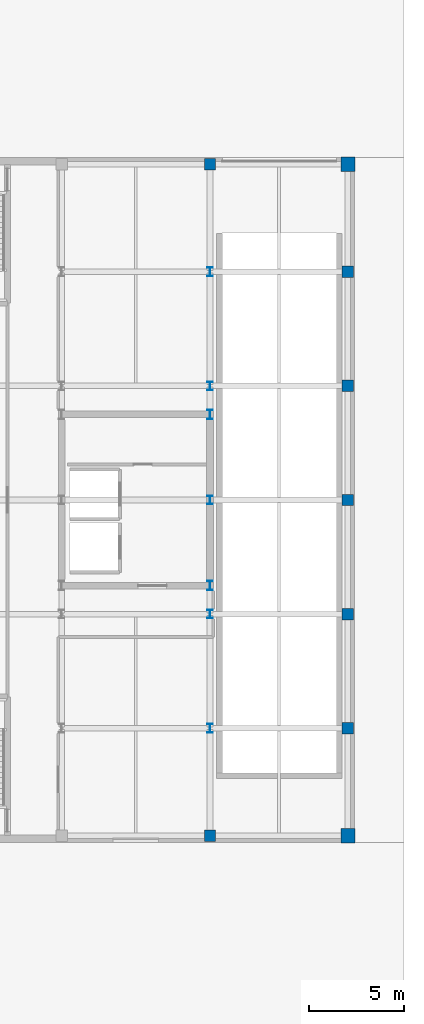
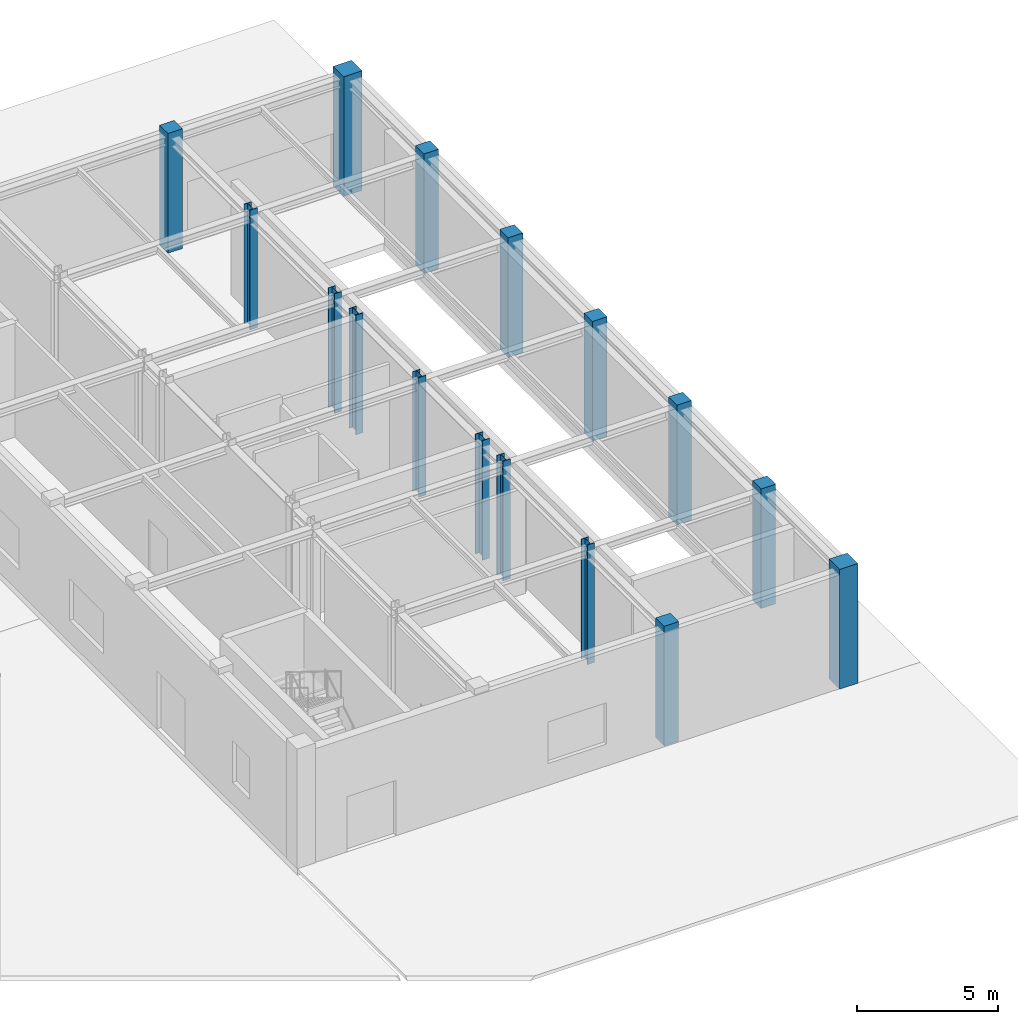
# One storey, part 4 of 26: 16 columns.
"""IFC4 building model written with IfcOpenShell, lengths in metres."""

from ifc_helpers import new_model, si_unit, direction, frame, origin, origin_2d, place, context, subcontext, project, spatial, rectangle, i_section, extrude, material, material_profile, profile_set, type_object, element, save


model = new_model("IFC4")

# Units and contexts
model_context = context("Model", 3, precision=1e-05, world=origin(), true_north=direction((0.0, 1.0)))
body_context = subcontext(model_context, "Body", "Model", "MODEL_VIEW")
ifc_project = project(units=[si_unit("LENGTHUNIT", "METRE"), si_unit("AREAUNIT", "SQUARE_METRE"), si_unit("VOLUMEUNIT", "CUBIC_METRE"), si_unit("PLANEANGLEUNIT", "RADIAN"), si_unit("MASSUNIT", "GRAM", prefix="KILO")], contexts=[model_context])

# Site, building, storey
site_placement = place(None, origin())
site = spatial("IfcSite", under=ifc_project, at=site_placement, CompositionType="ELEMENT")
building_placement = place(site_placement, origin())
building = spatial("IfcBuilding", under=site, at=building_placement, Name="Kranzbogen Civic Tower", CompositionType="ELEMENT")
storey_placement = place(building_placement, origin())
storey = spatial("IfcBuildingStorey", under=building, at=storey_placement, Name="L00", CompositionType="ELEMENT", Elevation=0.0)

# Columns
ifc_material_1 = material(Name="Steel S355", Category="steel")
ifc_material_profile_1 = material_profile(ifc_material_1, i_section(OverallWidth=0.300048828125, OverallDepth=0.449951171875, WebThickness=0.013916015625, FlangeThickness=0.02587890625, at=origin_2d()), Name="HEB 450")
ifc_profile_set_1 = profile_set([ifc_material_profile_1], Name="Steel S355")
column_type_1 = type_object("IfcColumnType", Name="Structural Column HEB 450", PredefinedType="COLUMN", material=ifc_profile_set_1)
for number, where, z_axis, x_axis, name in (
    (1, (67.39990234375, 13.0, 0.0), (0.0, 0.0, 1.0), (1.0, 0.0, 0.0), "L00 Health Centre column 12/C"),
    (2, (67.39990234375, 19.0, 0.0), (0.0, 0.0, 1.0), (1.0, 0.0, 0.0), "L00 Health Centre column 12/D"),
    (3, (67.39990234375, 25.0, 0.0), (0.0, 0.0, 1.0), (1.0, 0.0, 0.0), "L00 Health Centre column 12/E"),
    (4, (67.39990234375, 31.0, 0.0), (0.0, 0.0, 1.0), (1.0, 0.0, 0.0), "L00 Health Centre column 12/F"),
    (5, (67.39990234375, 37.0, 0.0), (0.0, 0.0, 1.0), (1.0, 0.0, 0.0), "L00 Health Centre column 12/G"),
):
    element("IfcColumn", number, at=place(storey_placement, frame(where, z_axis=z_axis, x_axis=x_axis)), inside=storey, type_object=column_type_1, Name=name, PredefinedType="COLUMN", context=body_context, shape_type="SweptSolid", body=[
        extrude(i_section(OverallWidth=0.300048828125, OverallDepth=0.449951171875, WebThickness=0.013916015625, FlangeThickness=0.02587890625, at=origin_2d()), origin(), (0.0, 0.0, 1.0), 5.199951171875),
    ])
ifc_material_profile_2 = material_profile(ifc_material_1, i_section(OverallWidth=0.300048828125, OverallDepth=0.5, WebThickness=0.014404296875, FlangeThickness=0.028076171875, at=origin_2d()), Name="HEB 500")
ifc_profile_set_2 = profile_set([ifc_material_profile_2], Name="Steel S355")
column_type_2 = type_object("IfcColumnType", Name="Structural Column HEB 500", PredefinedType="COLUMN", material=ifc_profile_set_2)
for number, where, z_axis, x_axis, name in (
    (6, (67.39990234375, 20.5, 0.0), (0.0, 0.0, 1.0), (1.0, 0.0, 0.0), "L00 Health Centre core corner column 2"),
    (7, (67.39990234375, 29.5, 0.0), (0.0, 0.0, 1.0), (1.0, 0.0, 0.0), "L00 Health Centre core corner column 3"),
):
    element("IfcColumn", number, at=place(storey_placement, frame(where, z_axis=z_axis, x_axis=x_axis)), inside=storey, type_object=column_type_2, Name=name, PredefinedType="COLUMN", context=body_context, shape_type="SweptSolid", body=[
        extrude(i_section(OverallWidth=0.300048828125, OverallDepth=0.5, WebThickness=0.014404296875, FlangeThickness=0.028076171875, at=origin_2d()), origin(), (0.0, 0.0, 1.0), 5.199951171875),
    ])
ifc_material_2 = material(Name="Concrete C40/50", Category="concrete")
ifc_material_profile_3 = material_profile(ifc_material_2, rectangle(XDim=0.60009765625, YDim=0.60009765625, at=origin_2d()), Name="RC 600x600")
ifc_profile_set_3 = profile_set([ifc_material_profile_3], Name="Concrete C40/50")
column_type_3 = type_object("IfcColumnType", Name="Structural Column RC 600x600", PredefinedType="COLUMN", material=ifc_profile_set_3)
for number, where, z_axis, x_axis, name in (
    (8, (67.39990234375, 7.35009765625, 0.0), (0.0, 0.0, 1.0), (1.0, 0.0, 0.0), "L00 Health Centre column 12/B"),
    (9, (67.39990234375, 42.64990234375, 0.0), (0.0, 0.0, 1.0), (1.0, 0.0, 0.0), "L00 Health Centre column 12/H"),
    (10, (74.64990234375, 13.0, 0.0), (0.0, 0.0, 1.0), (1.0, 0.0, 0.0), "L00 Health Centre column 13/C"),
    (11, (74.64990234375, 19.0, 0.0), (0.0, 0.0, 1.0), (1.0, 0.0, 0.0), "L00 Health Centre column 13/D"),
    (12, (74.64990234375, 25.0, 0.0), (0.0, 0.0, 1.0), (1.0, 0.0, 0.0), "L00 Health Centre column 13/E"),
    (13, (74.64990234375, 31.0, 0.0), (0.0, 0.0, 1.0), (1.0, 0.0, 0.0), "L00 Health Centre column 13/F"),
    (14, (74.64990234375, 37.0, 0.0), (0.0, 0.0, 1.0), (1.0, 0.0, 0.0), "L00 Health Centre column 13/G"),
):
    element("IfcColumn", number, at=place(storey_placement, frame(where, z_axis=z_axis, x_axis=x_axis)), inside=storey, type_object=column_type_3, Name=name, PredefinedType="COLUMN", context=body_context, shape_type="SweptSolid", body=[
        extrude(rectangle(XDim=0.60009765625, YDim=0.60009765625, at=origin_2d()), origin(), (0.0, 0.0, 1.0), 5.199951171875),
    ])
ifc_material_profile_4 = material_profile(ifc_material_2, rectangle(XDim=0.75, YDim=0.75, at=origin_2d()), Name="RC 750x750")
ifc_profile_set_4 = profile_set([ifc_material_profile_4], Name="Concrete C40/50")
column_type_4 = type_object("IfcColumnType", Name="Structural Column RC 750x750", PredefinedType="COLUMN", material=ifc_profile_set_4)
for number, where, z_axis, x_axis, name in (
    (15, (74.64990234375, 7.35009765625, 0.0), (0.0, 0.0, 1.0), (1.0, 0.0, 0.0), "L00 Health Centre column 13/B"),
    (16, (74.64990234375, 42.64990234375, 0.0), (0.0, 0.0, 1.0), (1.0, 0.0, 0.0), "L00 Health Centre column 13/H"),
):
    element("IfcColumn", number, at=place(storey_placement, frame(where, z_axis=z_axis, x_axis=x_axis)), inside=storey, type_object=column_type_4, Name=name, PredefinedType="COLUMN", context=body_context, shape_type="SweptSolid", body=[
        extrude(rectangle(XDim=0.75, YDim=0.75, at=origin_2d()), origin(), (0.0, 0.0, 1.0), 5.199951171875),
    ])

save(model, "model.ifc")
